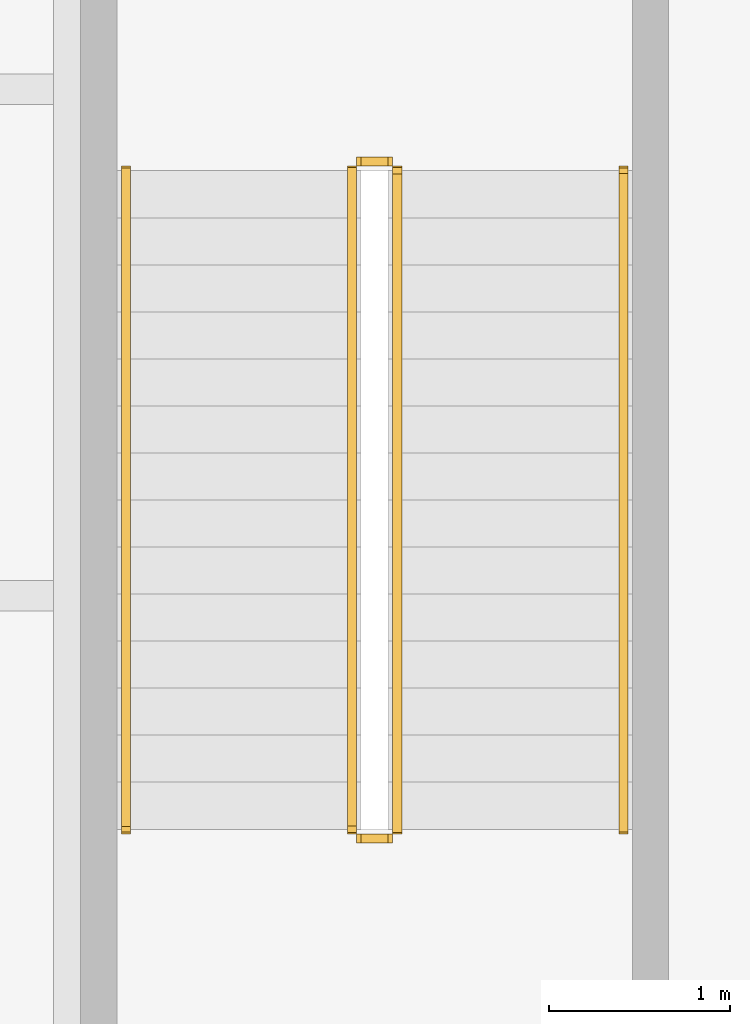
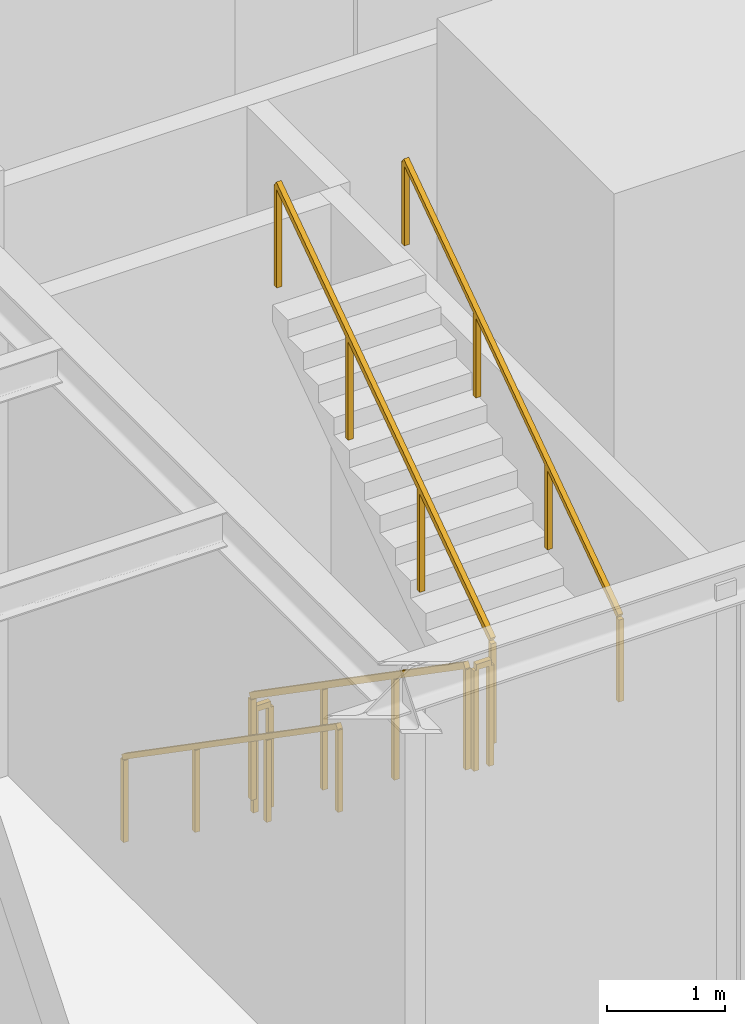
# One storey, part 29 of 36: 6 railings.
"""IFC4 building model written with IfcOpenShell, lengths in metres."""

import ifcopenshell
import ifcopenshell.guid

model = None  # the IFC model being written
_history = None  # IfcOwnerHistory: only IFC2X3 demands one
_inside = {}  # id of a spatial element -> (the spatial element, [elements in it])
_under = {}  # id of a project, library or spatial element -> (it, [spatial elements below it])
_declared = {}  # id of a project -> (the project, [libraries it declares])
_typed = {}  # id of a type object -> (the type object, [elements of that type])
_made_of = {}  # id of a material, layer set ... -> (it, [elements and type objects made of it])


def new_model(schema):
    """Start an empty IFC model of exactly this schema.

    Asked for "IFC4X3", IfcOpenShell would pick the latest addendum, in which some entities
    have other attributes; the version numbers below select the first issue.
    IFC2X3 requires an IfcOwnerHistory on every rooted entity: one is made here for all.
    """
    global model, _history
    if schema == "IFC4X3":
        model = ifcopenshell.file(schema_version=(4, 3, 0, 0))
    else:
        model = ifcopenshell.file(schema=schema)
    _inside.clear()
    _under.clear()
    _declared.clear()
    _typed.clear()
    _made_of.clear()
    _history = None
    if model.schema == "IFC2X3":
        org = make("IfcOrganization", Name="unknown")
        user = make(
            "IfcPersonAndOrganization",
            ThePerson=make("IfcPerson", FamilyName="unknown"),
            TheOrganization=org,
        )
        app = make(
            "IfcApplication",
            ApplicationDeveloper=org,
            Version="unknown",
            ApplicationFullName="unknown",
            ApplicationIdentifier="unknown",
        )
        _history = make(
            "IfcOwnerHistory",
            OwningUser=user,
            OwningApplication=app,
            ChangeAction="ADDED",
            CreationDate=0,
        )
    return model


def make(cls, **values):
    """One entity of the class cls with the attributes given. An attribute that is None is left unset."""
    return model.create_entity(
        cls, **{name: value for name, value in values.items() if value is not None}
    )


def rooted(cls, **values):
    """An entity with a GlobalId (a new one), such as an element, a storey or a relation."""
    return make(cls, GlobalId=ifcopenshell.guid.new(), OwnerHistory=_history, **values)


def si_unit(unit_type, name, prefix=None):
    """IfcSIUnit, for example si_unit("LENGTHUNIT", "METRE", prefix="MILLI")."""
    return make("IfcSIUnit", UnitType=unit_type, Prefix=prefix, Name=name)


def assignment(units):
    """IfcUnitAssignment: the units of a project."""
    return None if units is None else make("IfcUnitAssignment", Units=units)


def point(xyz):
    """IfcCartesianPoint."""
    return None if xyz is None else make("IfcCartesianPoint", Coordinates=xyz)


def direction(xyz):
    """IfcDirection."""
    return None if xyz is None else make("IfcDirection", DirectionRatios=xyz)


def frame(location, z_axis=None, x_axis=None):
    """IfcAxis2Placement3D, a coordinate frame: its origin and axes. An axis left out is left unset."""
    return make(
        "IfcAxis2Placement3D",
        Location=point(location),
        Axis=direction(z_axis),
        RefDirection=direction(x_axis),
    )


def frame_2d(location, x_axis=None):
    """IfcAxis2Placement2D, a coordinate frame in the plane: its origin and x axis."""
    return make(
        "IfcAxis2Placement2D", Location=point(location), RefDirection=direction(x_axis)
    )


def origin():
    """The frame at (0, 0, 0) with its axes left unset."""
    return frame((0.0, 0.0, 0.0))


def origin_2d():
    """The frame at (0, 0) in the plane with its x axis left unset."""
    return frame_2d((0.0, 0.0))


def place(relative_to, where):
    """IfcLocalPlacement: puts the frame where relative to a parent placement (None: the world)."""
    return make(
        "IfcLocalPlacement", PlacementRelTo=relative_to, RelativePlacement=where
    )


def context(
    kind, dimensions, precision=None, world=None, true_north=None, identifier=None
):
    """IfcGeometricRepresentationContext, for example the 3D "Model" context."""
    return make(
        "IfcGeometricRepresentationContext",
        ContextIdentifier=identifier,
        ContextType=kind,
        CoordinateSpaceDimension=dimensions,
        Precision=precision,
        WorldCoordinateSystem=world,
        TrueNorth=true_north,
    )


def subcontext(parent, identifier, kind, view, scale=None):
    """IfcGeometricRepresentationSubContext, for example "Body" below "Model"."""
    return make(
        "IfcGeometricRepresentationSubContext",
        ContextIdentifier=identifier,
        ContextType=kind,
        ParentContext=parent,
        TargetScale=scale,
        TargetView=view,
    )


def project(units=None, contexts=None):
    """IfcProject with its units and contexts."""
    return rooted(
        "IfcProject",
        Name="project",
        RepresentationContexts=contexts,
        UnitsInContext=assignment(units),
    )


def spatial(cls, under=None, at=None, **own):
    """A site, building, storey or space (cls), placed at a placement, below another one or the project."""
    s = rooted(cls, ObjectPlacement=at, **own)
    if under is not None:
        _under.setdefault(under.id(), (under, []))[1].append(s)
    return s


def profile(cls, at=None, kind="AREA", **sizes):
    """A parametric profile (cls). Its sizes go by their IFC names, for example OverallWidth=200.0."""
    return make(cls, ProfileType=kind, Position=at, **sizes)


def rectangle(**sizes):
    """IfcRectangleProfileDef."""
    return profile("IfcRectangleProfileDef", **sizes)


def extrude(swept, where, along, depth):
    """IfcExtrudedAreaSolid: the profile swept, set in the frame where, extruded along a direction by depth."""
    return make(
        "IfcExtrudedAreaSolid",
        SweptArea=swept,
        Position=where,
        ExtrudedDirection=direction(along),
        Depth=depth,
    )


def shape(context_of_items, identifier, shape_type, items):
    """IfcShapeRepresentation: the items that make up one representation, for example the "Body"."""
    return make(
        "IfcShapeRepresentation",
        ContextOfItems=context_of_items,
        RepresentationIdentifier=identifier,
        RepresentationType=shape_type,
        Items=items,
    )


def material(Name=None, Category=None):
    """IfcMaterial."""
    return make("IfcMaterial", Name=Name, Category=Category)


def made_of(thing, what):
    """Note that an element or type object is made of a material, layer set ...; save() writes the relation."""
    if what is not None:
        _made_of.setdefault(what.id(), (what, []))[1].append(thing)
    return thing


def type_object(cls, material=None, **own):
    """A type object (cls), such as IfcWallType, which elements share."""
    return made_of(rooted(cls, **own), material)


def element(
    cls,
    number,
    at=None,
    inside=None,
    cuts=None,
    type_object=None,
    material=None,
    context=None,
    identifier="Body",
    shape_type=None,
    held_by="IfcProductDefinitionShape",
    body=None,
    shapes=None,
    **own,
):
    """One element of the class cls, such as IfcWall. Its Tag is "e" and its number.

    at: its placement. inside: the storey or other place that contains it. cuts: it is an
    opening in that element (IfcRelVoidsElement). A single representation is given by context,
    identifier, shape_type and body (its items); several are given by shapes. held_by: the class
    of the entity that holds the representations. save() writes the other relations.
    """
    e = rooted(cls, Tag="e%d" % number, ObjectPlacement=at, **own)
    if body is not None:
        shapes = [shape(context, identifier, shape_type, body)]
    if shapes is not None:
        e.Representation = make(held_by, Representations=shapes)
    if inside is not None:
        _inside.setdefault(inside.id(), (inside, []))[1].append(e)
    if cuts is not None:
        rooted(
            "IfcRelVoidsElement", RelatingBuildingElement=cuts, RelatedOpeningElement=e
        )
    if type_object is not None:
        _typed.setdefault(type_object.id(), (type_object, []))[1].append(e)
    return made_of(e, material)


def aggregate(whole, parts):
    """IfcRelAggregates: a whole, such as a stair, and the parts it consists of."""
    return rooted("IfcRelAggregates", RelatingObject=whole, RelatedObjects=parts)


def save(model, path):
    """Write the relations noted so far, then the file.

    IfcRelAggregates (storeys below a building ...), IfcRelContainedInSpatialStructure (elements
    in a storey), IfcRelDefinesByType, IfcRelAssociatesMaterial and IfcRelDeclares: one each for
    every whole, place, type object, material and project.
    """
    for whole, parts in _under.values():
        aggregate(whole, parts)
    for where, things in _inside.values():
        rooted(
            "IfcRelContainedInSpatialStructure",
            RelatedElements=things,
            RelatingStructure=where,
        )
    for kind, things in _typed.values():
        rooted("IfcRelDefinesByType", RelatedObjects=things, RelatingType=kind)
    for what, things in _made_of.values():
        rooted("IfcRelAssociatesMaterial", RelatedObjects=things, RelatingMaterial=what)
    for by, libraries in _declared.values():
        rooted("IfcRelDeclares", RelatingContext=by, RelatedDefinitions=libraries)
    model.write(path)


model = new_model("IFC4")

# Units and contexts
model_context = context("Model", 3, precision=1e-05, world=origin(), true_north=direction((0.0, 1.0)))
body_context = subcontext(model_context, "Body", "Model", "MODEL_VIEW")
ifc_project = project(units=[si_unit("LENGTHUNIT", "METRE"), si_unit("AREAUNIT", "SQUARE_METRE"), si_unit("VOLUMEUNIT", "CUBIC_METRE"), si_unit("PLANEANGLEUNIT", "RADIAN"), si_unit("MASSUNIT", "GRAM", prefix="KILO")], contexts=[model_context])

# Site, building, storey
site_placement = place(None, origin())
site = spatial("IfcSite", under=ifc_project, at=site_placement, CompositionType="ELEMENT")
building_placement = place(site_placement, origin())
building = spatial("IfcBuilding", under=site, at=building_placement, Name="Khepri Terraces", CompositionType="ELEMENT")
storey_placement = place(building_placement, frame((0.0, 0.0, 16.800048828125)))
storey = spatial("IfcBuildingStorey", under=building, at=storey_placement, Name="L03", CompositionType="ELEMENT", Elevation=16.800048828125)

# Railings
ifc_material = material(Name="Stainless steel 316", Category="steel")
railing_type_1 = type_object("IfcRailingType", Name="RL-POD-GUARD", PredefinedType="GUARDRAIL", material=ifc_material)
railing_1_placement = place(storey_placement, frame((-23.699951171875, -20.050048828125, 0.179931640625)))
element("IfcRailing", 1, at=railing_1_placement, inside=storey, type_object=railing_type_1, Name="L03 PS-4 stair guard 1", PredefinedType="GUARDRAIL", context=body_context, shape_type="SweptSolid", body=[
    extrude(rectangle(XDim=0.050048828125, YDim=0.06005859375, at=origin_2d()), frame((0.0, 0.0, 1.070068359375), z_axis=(0.0, -0.822182265111, 0.569224316888), x_axis=(1.0, 0.0, 0.0)), (0.0, 0.0, 1.0), 4.427001953125),
    extrude(rectangle(XDim=0.050048828125, YDim=0.050048828125, at=origin_2d()), origin(), (0.0, 0.0, 1.0), 1.0400390625),
    extrude(rectangle(XDim=0.050048828125, YDim=0.050048828125, at=origin_2d()), frame((0.0, -1.21337890625, 0.840087890625)), (0.0, 0.0, 1.0), 1.0400390625),
    extrude(rectangle(XDim=0.050048828125, YDim=0.050048828125, at=origin_2d()), frame((0.0, -2.426513671875, 1.679931640625)), (0.0, 0.0, 1.0), 1.0400390625),
    extrude(rectangle(XDim=0.050048828125, YDim=0.050048828125, at=origin_2d()), frame((0.0, -3.639892578125, 2.52001953125)), (0.0, 0.0, 1.0), 1.0400390625),
])
railing_2_placement = place(storey_placement, frame((-23.64990234375, -23.739990234375, 2.699951171875)))
element("IfcRailing", 2, at=railing_2_placement, inside=storey, type_object=railing_type_1, Name="L03 PS-4 stair guard 2", PredefinedType="GUARDRAIL", context=body_context, shape_type="SweptSolid", body=[
    extrude(rectangle(XDim=0.050048828125, YDim=0.06005859375, at=origin_2d()), frame((0.0, 0.0, 1.070068359375), z_axis=(1.0, 0.0, 0.0), x_axis=(0.0, 1.0, 0.0)), (0.0, 0.0, 1.0), 0.14990234375),
    extrude(rectangle(XDim=0.050048828125, YDim=0.050048828125, at=origin_2d()), origin(), (0.0, 0.0, 1.0), 1.0400390625),
    extrude(rectangle(XDim=0.050048828125, YDim=0.050048828125, at=origin_2d()), frame((0.14990234375, 0.0, 0.0)), (0.0, 0.0, 1.0), 1.0400390625),
])
railing_3_placement = place(storey_placement, frame((-23.449951171875, -23.68994140625, 2.8798828125)))
element("IfcRailing", 3, at=railing_3_placement, inside=storey, type_object=railing_type_1, Name="L03 PS-4 stair guard 3", PredefinedType="GUARDRAIL", context=body_context, shape_type="SweptSolid", body=[
    extrude(rectangle(XDim=0.050048828125, YDim=0.06005859375, at=origin_2d()), frame((0.0, 0.0, 1.070068359375), z_axis=(0.0, 0.822182265111, 0.569224316888), x_axis=(-1.0, 0.0, 0.0)), (0.0, 0.0, 1.0), 4.427001953125),
    extrude(rectangle(XDim=0.050048828125, YDim=0.050048828125, at=origin_2d()), origin(), (0.0, 0.0, 1.0), 1.0400390625),
    extrude(rectangle(XDim=0.050048828125, YDim=0.050048828125, at=origin_2d()), frame((0.0, 1.21337890625, 0.840087890625)), (0.0, 0.0, 1.0), 1.0400390625),
    extrude(rectangle(XDim=0.050048828125, YDim=0.050048828125, at=origin_2d()), frame((0.0, 2.426513671875, 1.679931640625)), (0.0, 0.0, 1.0), 1.0400390625),
    extrude(rectangle(XDim=0.050048828125, YDim=0.050048828125, at=origin_2d()), frame((0.0, 3.639892578125, 2.52001953125)), (0.0, 0.0, 1.0), 1.0400390625),
])
railing_4_placement = place(storey_placement, frame((-23.64990234375, -20.0, 0.0)))
element("IfcRailing", 4, at=railing_4_placement, inside=storey, type_object=railing_type_1, Name="L03 PS-4 stair guard 4", PredefinedType="GUARDRAIL", context=body_context, shape_type="SweptSolid", body=[
    extrude(rectangle(XDim=0.050048828125, YDim=0.06005859375, at=origin_2d()), frame((0.0, 0.0, 1.070068359375), z_axis=(1.0, 0.0, 0.0), x_axis=(0.0, 1.0, 0.0)), (0.0, 0.0, 1.0), 0.14990234375),
    extrude(rectangle(XDim=0.050048828125, YDim=0.050048828125, at=origin_2d()), origin(), (0.0, 0.0, 1.0), 1.0400390625),
    extrude(rectangle(XDim=0.050048828125, YDim=0.050048828125, at=origin_2d()), frame((0.14990234375, 0.0, 0.0)), (0.0, 0.0, 1.0), 1.0400390625),
])
railing_type_2 = type_object("IfcRailingType", Name="RL-POD-HANDRAIL", PredefinedType="HANDRAIL", material=ifc_material)
railing_5_placement = place(storey_placement, frame((-24.949951171875, -20.050048828125, 0.179931640625)))
element("IfcRailing", 5, at=railing_5_placement, inside=storey, type_object=railing_type_2, Name="L03 PS-4 stair handrail 1", PredefinedType="HANDRAIL", context=body_context, shape_type="SweptSolid", body=[
    extrude(rectangle(XDim=0.050048828125, YDim=0.050048828125, at=origin_2d()), frame((0.0, 0.0, 0.875), z_axis=(0.0, -0.822182265111, 0.569224316888), x_axis=(1.0, 0.0, 0.0)), (0.0, 0.0, 1.0), 4.427001953125),
    extrude(rectangle(XDim=0.050048828125, YDim=0.050048828125, at=origin_2d()), origin(), (0.0, 0.0, 1.0), 0.849853515625),
    extrude(rectangle(XDim=0.050048828125, YDim=0.050048828125, at=origin_2d()), frame((0.0, -1.21337890625, 0.840087890625)), (0.0, 0.0, 1.0), 0.849853515625),
    extrude(rectangle(XDim=0.050048828125, YDim=0.050048828125, at=origin_2d()), frame((0.0, -2.426513671875, 1.679931640625)), (0.0, 0.0, 1.0), 0.849853515625),
    extrude(rectangle(XDim=0.050048828125, YDim=0.050048828125, at=origin_2d()), frame((0.0, -3.639892578125, 2.52001953125)), (0.0, 0.0, 1.0), 0.849853515625),
])
railing_6_placement = place(storey_placement, frame((-22.199951171875, -23.68994140625, 2.8798828125)))
element("IfcRailing", 6, at=railing_6_placement, inside=storey, type_object=railing_type_2, Name="L03 PS-4 stair handrail 2", PredefinedType="HANDRAIL", context=body_context, shape_type="SweptSolid", body=[
    extrude(rectangle(XDim=0.050048828125, YDim=0.050048828125, at=origin_2d()), frame((0.0, 0.0, 0.875), z_axis=(0.0, 0.822182265111, 0.569224316888), x_axis=(-1.0, 0.0, 0.0)), (0.0, 0.0, 1.0), 4.427001953125),
    extrude(rectangle(XDim=0.050048828125, YDim=0.050048828125, at=origin_2d()), origin(), (0.0, 0.0, 1.0), 0.849853515625),
    extrude(rectangle(XDim=0.050048828125, YDim=0.050048828125, at=origin_2d()), frame((0.0, 1.21337890625, 0.840087890625)), (0.0, 0.0, 1.0), 0.849853515625),
    extrude(rectangle(XDim=0.050048828125, YDim=0.050048828125, at=origin_2d()), frame((0.0, 2.426513671875, 1.679931640625)), (0.0, 0.0, 1.0), 0.849853515625),
    extrude(rectangle(XDim=0.050048828125, YDim=0.050048828125, at=origin_2d()), frame((0.0, 3.639892578125, 2.52001953125)), (0.0, 0.0, 1.0), 0.849853515625),
])

save(model, "model.ifc")
